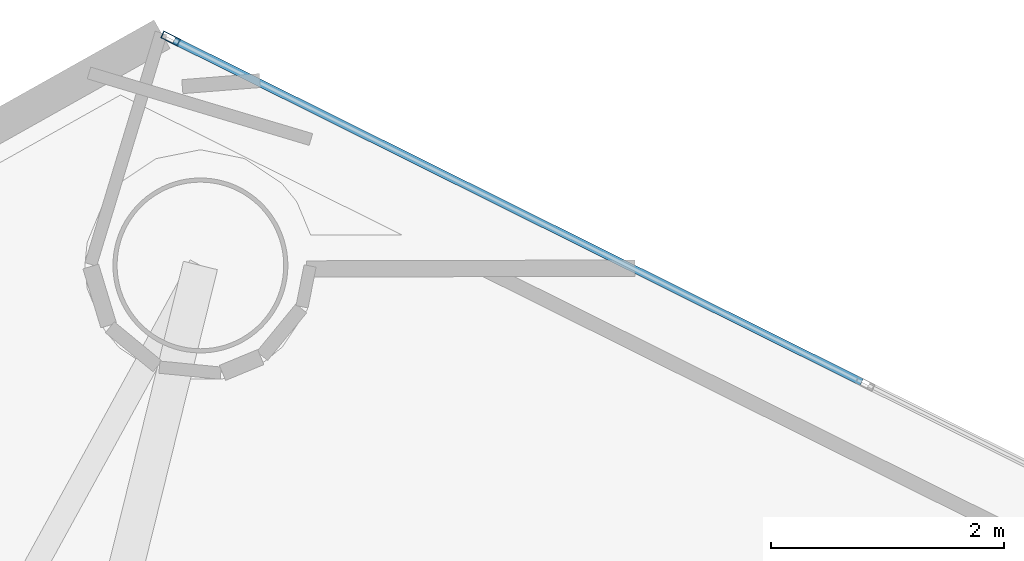
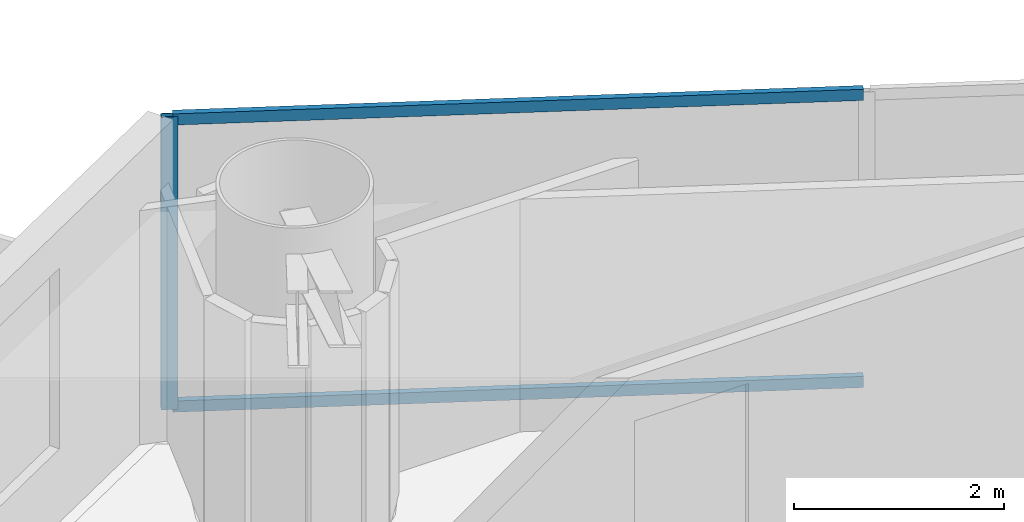
# One storey, part 15 of 22: 3 members, 1 element without a shape of its own.
"""IFC4 building model written with IfcOpenShell, lengths in metres."""

import ifcopenshell
import ifcopenshell.guid

model = None  # the IFC model being written
_history = None  # IfcOwnerHistory: only IFC2X3 demands one
_inside = {}  # id of a spatial element -> (the spatial element, [elements in it])
_under = {}  # id of a project, library or spatial element -> (it, [spatial elements below it])
_declared = {}  # id of a project -> (the project, [libraries it declares])
_typed = {}  # id of a type object -> (the type object, [elements of that type])
_made_of = {}  # id of a material, layer set ... -> (it, [elements and type objects made of it])


def new_model(schema):
    """Start an empty IFC model of exactly this schema.

    Asked for "IFC4X3", IfcOpenShell would pick the latest addendum, in which some entities
    have other attributes; the version numbers below select the first issue.
    IFC2X3 requires an IfcOwnerHistory on every rooted entity: one is made here for all.
    """
    global model, _history
    if schema == "IFC4X3":
        model = ifcopenshell.file(schema_version=(4, 3, 0, 0))
    else:
        model = ifcopenshell.file(schema=schema)
    _inside.clear()
    _under.clear()
    _declared.clear()
    _typed.clear()
    _made_of.clear()
    _history = None
    if model.schema == "IFC2X3":
        org = make("IfcOrganization", Name="unknown")
        user = make(
            "IfcPersonAndOrganization",
            ThePerson=make("IfcPerson", FamilyName="unknown"),
            TheOrganization=org,
        )
        app = make(
            "IfcApplication",
            ApplicationDeveloper=org,
            Version="unknown",
            ApplicationFullName="unknown",
            ApplicationIdentifier="unknown",
        )
        _history = make(
            "IfcOwnerHistory",
            OwningUser=user,
            OwningApplication=app,
            ChangeAction="ADDED",
            CreationDate=0,
        )
    return model


def make(cls, **values):
    """One entity of the class cls with the attributes given. An attribute that is None is left unset."""
    return model.create_entity(
        cls, **{name: value for name, value in values.items() if value is not None}
    )


def rooted(cls, **values):
    """An entity with a GlobalId (a new one), such as an element, a storey or a relation."""
    return make(cls, GlobalId=ifcopenshell.guid.new(), OwnerHistory=_history, **values)


def si_unit(unit_type, name, prefix=None):
    """IfcSIUnit, for example si_unit("LENGTHUNIT", "METRE", prefix="MILLI")."""
    return make("IfcSIUnit", UnitType=unit_type, Prefix=prefix, Name=name)


def assignment(units):
    """IfcUnitAssignment: the units of a project."""
    return None if units is None else make("IfcUnitAssignment", Units=units)


def point(xyz):
    """IfcCartesianPoint."""
    return None if xyz is None else make("IfcCartesianPoint", Coordinates=xyz)


def direction(xyz):
    """IfcDirection."""
    return None if xyz is None else make("IfcDirection", DirectionRatios=xyz)


def frame(location, z_axis=None, x_axis=None):
    """IfcAxis2Placement3D, a coordinate frame: its origin and axes. An axis left out is left unset."""
    return make(
        "IfcAxis2Placement3D",
        Location=point(location),
        Axis=direction(z_axis),
        RefDirection=direction(x_axis),
    )


def frame_2d(location, x_axis=None):
    """IfcAxis2Placement2D, a coordinate frame in the plane: its origin and x axis."""
    return make(
        "IfcAxis2Placement2D", Location=point(location), RefDirection=direction(x_axis)
    )


def origin():
    """The frame at (0, 0, 0) with its axes left unset."""
    return frame((0.0, 0.0, 0.0))


def origin_2d():
    """The frame at (0, 0) in the plane with its x axis left unset."""
    return frame_2d((0.0, 0.0))


def place(relative_to, where):
    """IfcLocalPlacement: puts the frame where relative to a parent placement (None: the world)."""
    return make(
        "IfcLocalPlacement", PlacementRelTo=relative_to, RelativePlacement=where
    )


def context(
    kind, dimensions, precision=None, world=None, true_north=None, identifier=None
):
    """IfcGeometricRepresentationContext, for example the 3D "Model" context."""
    return make(
        "IfcGeometricRepresentationContext",
        ContextIdentifier=identifier,
        ContextType=kind,
        CoordinateSpaceDimension=dimensions,
        Precision=precision,
        WorldCoordinateSystem=world,
        TrueNorth=true_north,
    )


def subcontext(parent, identifier, kind, view, scale=None):
    """IfcGeometricRepresentationSubContext, for example "Body" below "Model"."""
    return make(
        "IfcGeometricRepresentationSubContext",
        ContextIdentifier=identifier,
        ContextType=kind,
        ParentContext=parent,
        TargetScale=scale,
        TargetView=view,
    )


def project(units=None, contexts=None):
    """IfcProject with its units and contexts."""
    return rooted(
        "IfcProject",
        Name="project",
        RepresentationContexts=contexts,
        UnitsInContext=assignment(units),
    )


def spatial(cls, under=None, at=None, **own):
    """A site, building, storey or space (cls), placed at a placement, below another one or the project."""
    s = rooted(cls, ObjectPlacement=at, **own)
    if under is not None:
        _under.setdefault(under.id(), (under, []))[1].append(s)
    return s


def profile(cls, at=None, kind="AREA", **sizes):
    """A parametric profile (cls). Its sizes go by their IFC names, for example OverallWidth=200.0."""
    return make(cls, ProfileType=kind, Position=at, **sizes)


def hollow_rectangle(**sizes):
    """IfcRectangleHollowProfileDef."""
    return profile("IfcRectangleHollowProfileDef", **sizes)


def extrude(swept, where, along, depth):
    """IfcExtrudedAreaSolid: the profile swept, set in the frame where, extruded along a direction by depth."""
    return make(
        "IfcExtrudedAreaSolid",
        SweptArea=swept,
        Position=where,
        ExtrudedDirection=direction(along),
        Depth=depth,
    )


def shape(context_of_items, identifier, shape_type, items):
    """IfcShapeRepresentation: the items that make up one representation, for example the "Body"."""
    return make(
        "IfcShapeRepresentation",
        ContextOfItems=context_of_items,
        RepresentationIdentifier=identifier,
        RepresentationType=shape_type,
        Items=items,
    )


def material(Name=None, Category=None):
    """IfcMaterial."""
    return make("IfcMaterial", Name=Name, Category=Category)


def layer(
    of_material, thickness, ventilated=None, Name=None, Category=None, Priority=None
):
    """IfcMaterialLayer: one layer of a wall or slab, of a material (None: an air gap)."""
    return make(
        "IfcMaterialLayer",
        Material=of_material,
        LayerThickness=thickness,
        IsVentilated=ventilated,
        Name=Name,
        Category=Category,
        Priority=Priority,
    )


def layer_set(layers, Name=None):
    """IfcMaterialLayerSet."""
    return make("IfcMaterialLayerSet", MaterialLayers=layers, LayerSetName=Name)


def material_profile(
    of_material, cross_section, Name=None, Category=None, Priority=None
):
    """IfcMaterialProfile: a cross section and its material."""
    return make(
        "IfcMaterialProfile",
        Name=Name,
        Material=of_material,
        Profile=cross_section,
        Priority=Priority,
        Category=Category,
    )


def profile_set(profiles, Name=None, composite=None):
    """IfcMaterialProfileSet."""
    return make(
        "IfcMaterialProfileSet",
        Name=Name,
        MaterialProfiles=profiles,
        CompositeProfile=composite,
    )


def made_of(thing, what):
    """Note that an element or type object is made of a material, layer set ...; save() writes the relation."""
    if what is not None:
        _made_of.setdefault(what.id(), (what, []))[1].append(thing)
    return thing


def type_object(cls, material=None, **own):
    """A type object (cls), such as IfcWallType, which elements share."""
    return made_of(rooted(cls, **own), material)


def element(
    cls,
    number,
    at=None,
    inside=None,
    cuts=None,
    type_object=None,
    material=None,
    context=None,
    identifier="Body",
    shape_type=None,
    held_by="IfcProductDefinitionShape",
    body=None,
    shapes=None,
    **own,
):
    """One element of the class cls, such as IfcWall. Its Tag is "e" and its number.

    at: its placement. inside: the storey or other place that contains it. cuts: it is an
    opening in that element (IfcRelVoidsElement). A single representation is given by context,
    identifier, shape_type and body (its items); several are given by shapes. held_by: the class
    of the entity that holds the representations. save() writes the other relations.
    """
    e = rooted(cls, Tag="e%d" % number, ObjectPlacement=at, **own)
    if body is not None:
        shapes = [shape(context, identifier, shape_type, body)]
    if shapes is not None:
        e.Representation = make(held_by, Representations=shapes)
    if inside is not None:
        _inside.setdefault(inside.id(), (inside, []))[1].append(e)
    if cuts is not None:
        rooted(
            "IfcRelVoidsElement", RelatingBuildingElement=cuts, RelatedOpeningElement=e
        )
    if type_object is not None:
        _typed.setdefault(type_object.id(), (type_object, []))[1].append(e)
    return made_of(e, material)


def aggregate(whole, parts):
    """IfcRelAggregates: a whole, such as a stair, and the parts it consists of."""
    return rooted("IfcRelAggregates", RelatingObject=whole, RelatedObjects=parts)


def save(model, path):
    """Write the relations noted so far, then the file.

    IfcRelAggregates (storeys below a building ...), IfcRelContainedInSpatialStructure (elements
    in a storey), IfcRelDefinesByType, IfcRelAssociatesMaterial and IfcRelDeclares: one each for
    every whole, place, type object, material and project.
    """
    for whole, parts in _under.values():
        aggregate(whole, parts)
    for where, things in _inside.values():
        rooted(
            "IfcRelContainedInSpatialStructure",
            RelatedElements=things,
            RelatingStructure=where,
        )
    for kind, things in _typed.values():
        rooted("IfcRelDefinesByType", RelatedObjects=things, RelatingType=kind)
    for what, things in _made_of.values():
        rooted("IfcRelAssociatesMaterial", RelatedObjects=things, RelatingMaterial=what)
    for by, libraries in _declared.values():
        rooted("IfcRelDeclares", RelatingContext=by, RelatedDefinitions=libraries)
    model.write(path)


model = new_model("IFC4")

# Units and contexts
model_context = context("Model", 3, precision=1e-05, world=origin(), true_north=direction((0.0, 1.0)))
body_context = subcontext(model_context, "Body", "Model", "MODEL_VIEW")
ifc_project = project(units=[si_unit("LENGTHUNIT", "METRE"), si_unit("AREAUNIT", "SQUARE_METRE"), si_unit("VOLUMEUNIT", "CUBIC_METRE"), si_unit("PLANEANGLEUNIT", "RADIAN"), si_unit("MASSUNIT", "GRAM", prefix="KILO")], contexts=[model_context])

# Site, building, storey
site_placement = place(None, origin())
site = spatial("IfcSite", under=ifc_project, at=site_placement, CompositionType="ELEMENT")
building_placement = place(site_placement, origin())
building = spatial("IfcBuilding", under=site, at=building_placement, Name="Qianvela Tower", CompositionType="ELEMENT")
storey_placement = place(building_placement, frame((0.0, 0.0, 134.800048828125)))
storey = spatial("IfcBuildingStorey", under=building, at=storey_placement, Name="L34", CompositionType="ELEMENT", Elevation=134.800048828125)

# Curtain wall, members
ifc_material_1 = material(Name="Anodised Architectural Aluminium and Low-E Glass", Category="aluminium")
ifc_layer = layer(ifc_material_1, 0.169921875)
ifc_layer_set = layer_set([ifc_layer], Name="Anodised Architectural Aluminium and Low-E Glass")
curtain_wall_type = type_object("IfcCurtainWallType", Name="CW-COLIV-Z34", PredefinedType="USERDEFINED", material=ifc_layer_set)
curtain_wall_placement = place(storey_placement, origin())
curtain_wall = element("IfcCurtainWall", 1, at=curtain_wall_placement, inside=storey, type_object=curtain_wall_type, Name="L34 CW-COLIV-Z34 Curtain Wall 02C", ObjectType="CURTAIN_WALL_SYSTEM", PredefinedType="USERDEFINED")
ifc_material_2 = material(Name="Anodised Architectural Aluminium 6063-T6", Category="aluminium")
ifc_material_profile_1 = material_profile(ifc_material_2, hollow_rectangle(XDim=0.06494140625, YDim=0.159912109375, WallThickness=0.0048828125, at=origin_2d()), Name="ALU-MULL-65x160")
ifc_profile_set_1 = profile_set([ifc_material_profile_1], Name="Anodised Architectural Aluminium 6063-T6")
member_type_1 = type_object("IfcMemberType", Name="CW-COLIV-Z34-MULL", PredefinedType="MULLION", material=ifc_profile_set_1)
member_1_placement = place(storey_placement, frame((30.30859375, 43.46630859375, 0.0), z_axis=(0.0, 0.0, 1.0), x_axis=(-0.445146756664, -0.895457628831, 0.0)))
member_1 = element("IfcMember", 2, at=member_1_placement, type_object=member_type_1, Name="CW-4 mullion 3", PredefinedType="MULLION", context=body_context, shape_type="SweptSolid", body=[
    extrude(hollow_rectangle(XDim=0.06494140625, YDim=0.159912109375, WallThickness=0.0048828125, at=origin_2d()), origin(), (0.0, 0.0, 1.0), 3.39990234375),
])
ifc_material_3 = material(Name="Anodised Architectural Aluminium 6063-T6", Category="aluminium")
ifc_material_profile_2 = material_profile(ifc_material_3, hollow_rectangle(XDim=0.06494140625, YDim=0.1298828125, WallThickness=0.00439453125, at=origin_2d()), Name="ALU-TRAN-65x130")
ifc_profile_set_2 = profile_set([ifc_material_profile_2], Name="Anodised Architectural Aluminium 6063-T6")
member_type_2 = type_object("IfcMemberType", Name="CW-COLIV-Z34-TRAN", PredefinedType="USERDEFINED", material=ifc_profile_set_2)
member_2_placement = place(storey_placement, frame((36.23291015625, 40.521240234375, 0.032470703125), z_axis=(-0.895463170105, 0.445135609657, 0.0), x_axis=(-0.445135609657, -0.895463170105, 0.0)))
member_2 = element("IfcMember", 3, at=member_2_placement, type_object=member_type_2, Name="CW-4 transom 2.1", ObjectType="TRANSOM", PredefinedType="USERDEFINED", context=body_context, shape_type="SweptSolid", body=[
    extrude(hollow_rectangle(XDim=0.06494140625, YDim=0.1298828125, WallThickness=0.00439453125, at=origin_2d()), origin(), (0.0, 0.0, 1.0), 6.583251953125),
])
member_3_placement = place(storey_placement, frame((36.23291015625, 40.521240234375, 3.367431640625), z_axis=(-0.895463170105, 0.445135609657, 0.0), x_axis=(-0.445135609657, -0.895463170105, 0.0)))
member_3 = element("IfcMember", 4, at=member_3_placement, type_object=member_type_2, Name="CW-4 transom 2.2", ObjectType="TRANSOM", PredefinedType="USERDEFINED", context=body_context, shape_type="SweptSolid", body=[
    extrude(hollow_rectangle(XDim=0.06494140625, YDim=0.1298828125, WallThickness=0.00439453125, at=origin_2d()), origin(), (0.0, 0.0, 1.0), 6.583251953125),
])
aggregate(curtain_wall, [member_1, member_2, member_3])

save(model, "model.ifc")
